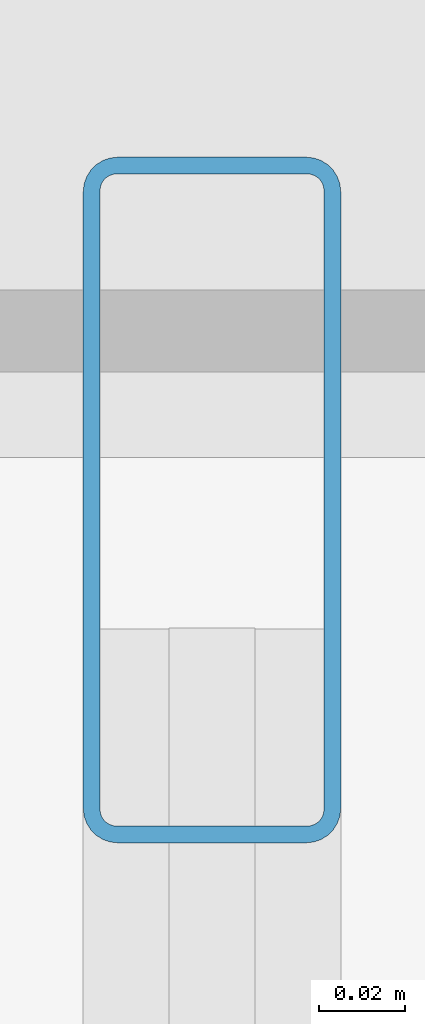
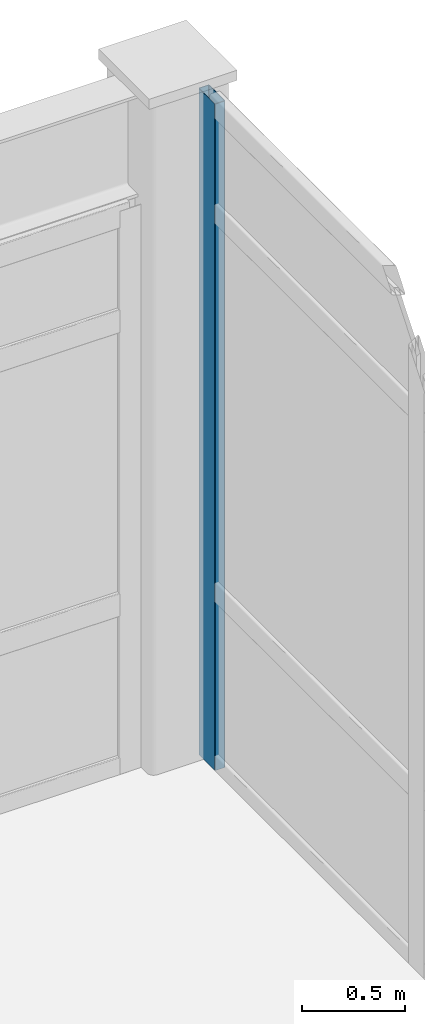
# One storey, part 27 of 34: 1 member, 1 element without a shape of its own.
"""IFC4 building model written with IfcOpenShell, lengths in metres."""

from ifc_helpers import new_model, si_unit, direction, frame, origin, origin_2d, place, context, subcontext, project, spatial, hollow_rectangle, extrude, material, layer, layer_set, material_profile, profile_set, type_object, element, aggregate, save


model = new_model("IFC4")

# Units and contexts
model_context = context("Model", 3, precision=1e-05, world=origin(), true_north=direction((0.0, 1.0)))
body_context = subcontext(model_context, "Body", "Model", "MODEL_VIEW")
ifc_project = project(units=[si_unit("LENGTHUNIT", "METRE"), si_unit("AREAUNIT", "SQUARE_METRE"), si_unit("VOLUMEUNIT", "CUBIC_METRE"), si_unit("PLANEANGLEUNIT", "RADIAN"), si_unit("MASSUNIT", "GRAM", prefix="KILO")], contexts=[model_context])

# Site, building, storey
site_placement = place(None, origin())
site = spatial("IfcSite", under=ifc_project, at=site_placement, CompositionType="ELEMENT")
building_placement = place(site_placement, origin())
building = spatial("IfcBuilding", under=site, at=building_placement, Name="Kazehara Bluff Congress Hotel", CompositionType="ELEMENT")
storey_placement = place(building_placement, frame((0.0, 0.0, 46.199951171875)))
storey = spatial("IfcBuildingStorey", under=building, at=storey_placement, Name="L11", CompositionType="ELEMENT", Elevation=46.199951171875)

# Curtain wall, member
ifc_material_1 = material(Name="Anodised aluminium", Category="aluminium")
ifc_layer = layer(ifc_material_1, 0.159912109375)
ifc_layer_set = layer_set([ifc_layer], Name="Anodised aluminium")
curtain_wall_type = type_object("IfcCurtainWallType", Name="TP-CW-210", PredefinedType="NOTDEFINED", material=ifc_layer_set)
curtain_wall_placement = place(storey_placement, origin())
curtain_wall = element("IfcCurtainWall", 1, at=curtain_wall_placement, inside=storey, type_object=curtain_wall_type, Name="L11 curtain wall CW-210 CW-ENC-V5-L11-16765-7862", PredefinedType="NOTDEFINED")
ifc_material_2 = material(Name="Anodised aluminium", Category="aluminium")
ifc_material_profile = material_profile(ifc_material_2, hollow_rectangle(XDim=0.06005859375, YDim=0.159912109375, WallThickness=0.00390625, InnerFilletRadius=0.00390625, OuterFilletRadius=0.008056640625, at=origin_2d()))
ifc_profile_set = profile_set([ifc_material_profile], Name="Anodised aluminium")
member_type = type_object("IfcMemberType", Name="TP-CWM-01", PredefinedType="MULLION", material=ifc_profile_set)
member_placement = place(storey_placement, frame((167.64990234375, 80.64501953125, 0.0), z_axis=(0.0, 0.0, 1.0), x_axis=(1.0, 0.0, 0.0)))
member = element("IfcMember", 2, at=member_placement, type_object=member_type, Name="CW-210 mullion 1", PredefinedType="MULLION", context=body_context, shape_type="SweptSolid", body=[
    extrude(hollow_rectangle(XDim=0.06005859375, YDim=0.159912109375, WallThickness=0.00390625, InnerFilletRadius=0.00390625, OuterFilletRadius=0.008056640625, at=origin_2d()), origin(), (0.0, 0.0, 1.0), 3.93505859375),
])
aggregate(curtain_wall, [member])

save(model, "model.ifc")
